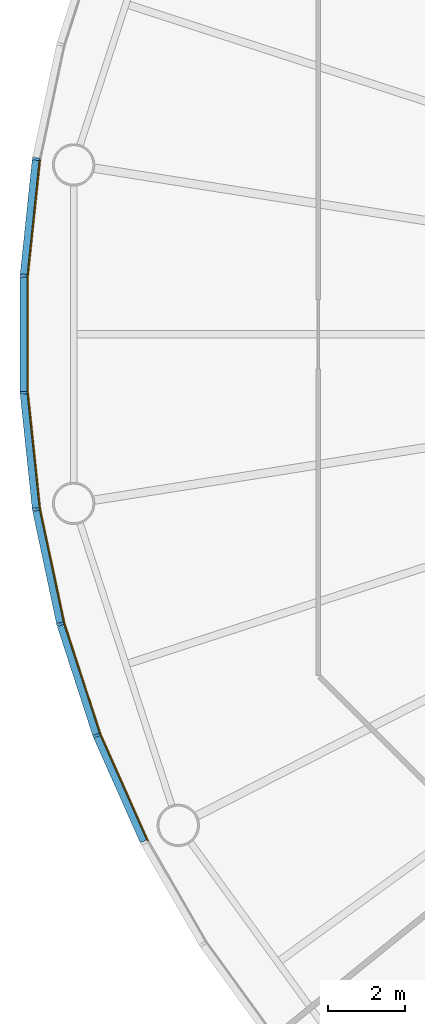
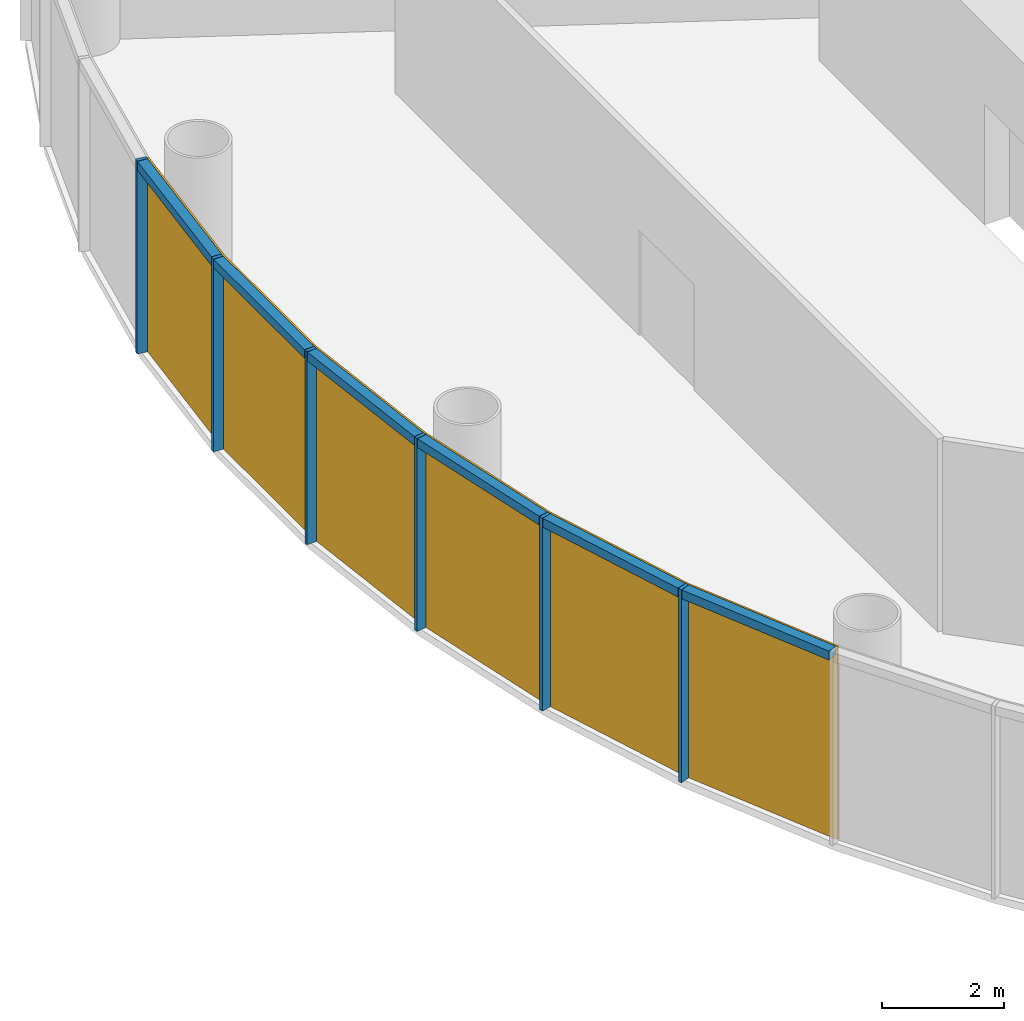
# One storey, part 8 of 13: 12 members, 2 curtain walls.
"""IFC4 building model written with IfcOpenShell, lengths in metres."""

from ifc_helpers import new_model, si_unit, direction, frame, origin, origin_2d, place, context, subcontext, project, spatial, polyline, rectangle, outline, extrude, material, layer, layer_set, material_profile, profile_set, type_object, element, aggregate, save


model = new_model("IFC4")

# Units and contexts
model_context = context("Model", 3, precision=1e-05, world=origin(), true_north=direction((0.0, 1.0)))
body_context = subcontext(model_context, "Body", "Model", "MODEL_VIEW")
ifc_project = project(units=[si_unit("LENGTHUNIT", "METRE"), si_unit("AREAUNIT", "SQUARE_METRE"), si_unit("VOLUMEUNIT", "CUBIC_METRE"), si_unit("PLANEANGLEUNIT", "RADIAN"), si_unit("MASSUNIT", "GRAM", prefix="KILO")], contexts=[model_context])

# Member
ifc_material_1 = material(Name="Anodised aluminium", Category="aluminium")
ifc_material_profile_1 = material_profile(ifc_material_1, rectangle(XDim=0.06494140625, YDim=0.18505859375, at=origin_2d()), Name="Mullion 65 x 185 mm anodised aluminium")
ifc_profile_set_1 = profile_set([ifc_material_profile_1], Name="Anodised aluminium")
member_type_1 = type_object("IfcMemberType", Name="Mullion 65 x 185 mm anodised aluminium", PredefinedType="MULLION", material=ifc_profile_set_1)
site_placement = place(None, origin())
building_placement = place(site_placement, origin())
storey_placement = place(building_placement, frame((0.0, 0.0, 172.0)))
member_1_placement = place(storey_placement, frame((61.265625, 84.551025390625, 0.0), z_axis=(0.0, 0.0, 1.0), x_axis=(-0.15643446504, -0.987688340595, 0.0)))
member_1 = element("IfcMember", 1, at=member_1_placement, type_object=member_type_1, Name="MULLION L39-27", PredefinedType="MULLION", context=body_context, shape_type="SweptSolid", body=[
    extrude(rectangle(XDim=0.06494140625, YDim=0.18505859375, at=origin_2d()), origin(), (0.0, 0.0, 1.0), 3.85009765625),
])

member_2_placement = place(storey_placement, frame((60.947265625, 81.522705078125, 0.0), z_axis=(0.0, 0.0, 1.0), x_axis=(-0.052335956243, -0.998629534755, 0.0)))
member_2 = element("IfcMember", 2, at=member_2_placement, type_object=member_type_1, Name="MULLION L39-28", PredefinedType="MULLION", context=body_context, shape_type="SweptSolid", body=[
    extrude(rectangle(XDim=0.06494140625, YDim=0.18505859375, at=origin_2d()), origin(), (0.0, 0.0, 1.0), 3.85009765625),
])

member_3_placement = place(storey_placement, frame((60.947265625, 78.477294921875, 0.0), z_axis=(0.0, 0.0, 1.0), x_axis=(0.052335956243, -0.998629534755, 0.0)))
member_3 = element("IfcMember", 3, at=member_3_placement, type_object=member_type_1, Name="MULLION L39-29", PredefinedType="MULLION", context=body_context, shape_type="SweptSolid", body=[
    extrude(rectangle(XDim=0.06494140625, YDim=0.18505859375, at=origin_2d()), origin(), (0.0, 0.0, 1.0), 3.85009765625),
])

member_4_placement = place(storey_placement, frame((61.265625, 75.448974609375, 0.0), z_axis=(0.0, 0.0, 1.0), x_axis=(0.15643446504, -0.987688340595, 0.0)))
member_4 = element("IfcMember", 4, at=member_4_placement, type_object=member_type_1, Name="MULLION L39-30", PredefinedType="MULLION", context=body_context, shape_type="SweptSolid", body=[
    extrude(rectangle(XDim=0.06494140625, YDim=0.18505859375, at=origin_2d()), origin(), (0.0, 0.0, 1.0), 3.85009765625),
])

member_5_placement = place(storey_placement, frame((61.898681640625, 72.47021484375, 0.0), z_axis=(0.0, 0.0, 1.0), x_axis=(0.258819045103, -0.965925826289, 0.0)))
member_5 = element("IfcMember", 5, at=member_5_placement, type_object=member_type_1, Name="MULLION L39-31", PredefinedType="MULLION", context=body_context, shape_type="SweptSolid", body=[
    extrude(rectangle(XDim=0.06494140625, YDim=0.18505859375, at=origin_2d()), origin(), (0.0, 0.0, 1.0), 3.85009765625),
])

member_6_placement = place(storey_placement, frame((62.83984375, 69.57421875, 0.0), z_axis=(0.0, 0.0, 1.0), x_axis=(0.358367949545, -0.933580426497, 0.0)))
member_6 = element("IfcMember", 6, at=member_6_placement, type_object=member_type_1, Name="MULLION L39-32", PredefinedType="MULLION", context=body_context, shape_type="SweptSolid", body=[
    extrude(rectangle(XDim=0.06494140625, YDim=0.18505859375, at=origin_2d()), origin(), (0.0, 0.0, 1.0), 3.85009765625),
])

ifc_material_2 = material(Name="Anodised aluminium", Category="aluminium")
ifc_material_profile_2 = material_profile(ifc_material_2, rectangle(XDim=0.18505859375, YDim=0.175048828125, at=origin_2d()), Name="Transom 175 x 185 mm anodised aluminium")
ifc_profile_set_2 = profile_set([ifc_material_profile_2], Name="Anodised aluminium")
member_type_2 = type_object("IfcMemberType", Name="Transom 175 x 185 mm anodised aluminium", PredefinedType="USERDEFINED", material=ifc_profile_set_2)
member_7_placement = place(storey_placement, frame((61.26171875, 84.513916015625, 3.762451171875), z_axis=(-0.104547872381, -0.994519855197, 0.0), x_axis=(0.994519855197, -0.104547872381, 0.0)))
member_7 = element("IfcMember", 7, at=member_7_placement, type_object=member_type_2, Name="TRANSOM L39-27", ObjectType="TRANSOM", PredefinedType="USERDEFINED", context=body_context, shape_type="SweptSolid", body=[
    extrude(rectangle(XDim=0.18505859375, YDim=0.175048828125, at=origin_2d()), origin(), (0.0, 0.0, 1.0), 2.970458984375),
])

member_8_placement = place(storey_placement, frame((60.947265625, 81.4853515625, 3.762451171875), z_axis=(0.0, -1.0, 0.0), x_axis=(1.0, 0.0, 0.0)))
member_8 = element("IfcMember", 8, at=member_8_placement, type_object=member_type_2, Name="TRANSOM L39-28", ObjectType="TRANSOM", PredefinedType="USERDEFINED", context=body_context, shape_type="SweptSolid", body=[
    extrude(rectangle(XDim=0.18505859375, YDim=0.175048828125, at=origin_2d()), origin(), (0.0, 0.0, 1.0), 2.970703125),
])

member_9_placement = place(storey_placement, frame((60.951171875, 78.440185546875, 3.762451171875), z_axis=(0.104547872381, -0.994519855197, 0.0), x_axis=(0.994519855197, 0.104547872381, 0.0)))
member_9 = element("IfcMember", 9, at=member_9_placement, type_object=member_type_2, Name="TRANSOM L39-29", ObjectType="TRANSOM", PredefinedType="USERDEFINED", context=body_context, shape_type="SweptSolid", body=[
    extrude(rectangle(XDim=0.18505859375, YDim=0.175048828125, at=origin_2d()), origin(), (0.0, 0.0, 1.0), 2.970458984375),
])

member_10_placement = place(storey_placement, frame((61.2734375, 75.412353515625, 3.762451171875), z_axis=(0.207861704825, -0.97815822425, 0.0), x_axis=(0.97815822425, 0.207861704825, 0.0)))
member_10 = element("IfcMember", 10, at=member_10_placement, type_object=member_type_2, Name="TRANSOM L39-30", ObjectType="TRANSOM", PredefinedType="USERDEFINED", context=body_context, shape_type="SweptSolid", body=[
    extrude(rectangle(XDim=0.18505859375, YDim=0.175048828125, at=origin_2d()), origin(), (0.0, 0.0, 1.0), 2.970458984375),
])

member_11_placement = place(storey_placement, frame((61.91015625, 72.434814453125, 3.762451171875), z_axis=(0.30901917063, -0.951055809184, 0.0), x_axis=(0.951055809184, 0.30901917063, 0.0)))
member_11 = element("IfcMember", 11, at=member_11_placement, type_object=member_type_2, Name="TRANSOM L39-31", ObjectType="TRANSOM", PredefinedType="USERDEFINED", context=body_context, shape_type="SweptSolid", body=[
    extrude(rectangle(XDim=0.18505859375, YDim=0.175048828125, at=origin_2d()), origin(), (0.0, 0.0, 1.0), 2.970703125),
])

member_12_placement = place(storey_placement, frame((62.85498046875, 69.5400390625, 3.762451171875), z_axis=(0.406687471156, -0.913567348806, 0.0), x_axis=(0.913567348806, 0.406687471156, 0.0)))
member_12 = element("IfcMember", 12, at=member_12_placement, type_object=member_type_2, Name="TRANSOM L39-32", ObjectType="TRANSOM", PredefinedType="USERDEFINED", context=body_context, shape_type="SweptSolid", body=[
    extrude(rectangle(XDim=0.18505859375, YDim=0.175048828125, at=origin_2d()), origin(), (0.0, 0.0, 1.0), 2.970458984375),
])

# Site, building, storey
site = spatial("IfcSite", under=ifc_project, at=site_placement, CompositionType="ELEMENT")
building = spatial("IfcBuilding", under=site, at=building_placement, Name="Entoto Ring Tower", CompositionType="ELEMENT")
storey = spatial("IfcBuildingStorey", under=building, at=storey_placement, Name="L39", CompositionType="ELEMENT", Elevation=172.0)

# Curtain wall
ifc_material_3 = material(Name="Clear low-iron glass", Category="glass")
ifc_layer = layer(ifc_material_3, 0.033935546875)
ifc_layer_set = layer_set([ifc_layer], Name="Clear low-iron glass")
curtain_wall_type = type_object("IfcCurtainWallType", Name="Curtain wall system CW3 glazing 34 mm", PredefinedType="NOTDEFINED", material=ifc_layer_set)
curtain_wall_1_placement = place(storey_placement, origin())
curtain_wall_1 = element("IfcCurtainWall", 13, at=curtain_wall_1_placement, inside=storey, type_object=curtain_wall_type, Name="CW3 L39-10", PredefinedType="NOTDEFINED", context=body_context, shape_type="SweptSolid", body=[
    extrude(outline(polyline([(61.35693359375, 84.53662109375), (61.039794921875, 81.517822265625), (61.039794921875, 78.482177734375), (61.35693359375, 75.46337890625), (61.390625, 75.46875), (61.07373046875, 78.484130859375), (61.07373046875, 81.515869140625), (61.390625, 84.53125), (61.35693359375, 84.53662109375)])), origin(), (0.0, 0.0, 1.0), 3.85009765625),
])

aggregate(curtain_wall_1, [member_1, member_2, member_3, member_7, member_8, member_9])

curtain_wall_2_placement = place(storey_placement, origin())
curtain_wall_2 = element("IfcCurtainWall", 14, at=curtain_wall_2_placement, inside=storey, type_object=curtain_wall_type, Name="CW3 L39-11", PredefinedType="NOTDEFINED", context=body_context, shape_type="SweptSolid", body=[
    extrude(outline(polyline([(61.35693359375, 75.46337890625), (61.988037109375, 72.494140625), (62.92626953125, 69.607421875), (64.160888671875, 66.834228515625), (64.191162109375, 66.849853515625), (62.9580078125, 69.61962890625), (62.02099609375, 72.503173828125), (61.390625, 75.46875), (61.35693359375, 75.46337890625)])), origin(), (0.0, 0.0, 1.0), 3.85009765625),
])

aggregate(curtain_wall_2, [member_4, member_5, member_6, member_10, member_11, member_12])

save(model, "model.ifc")
